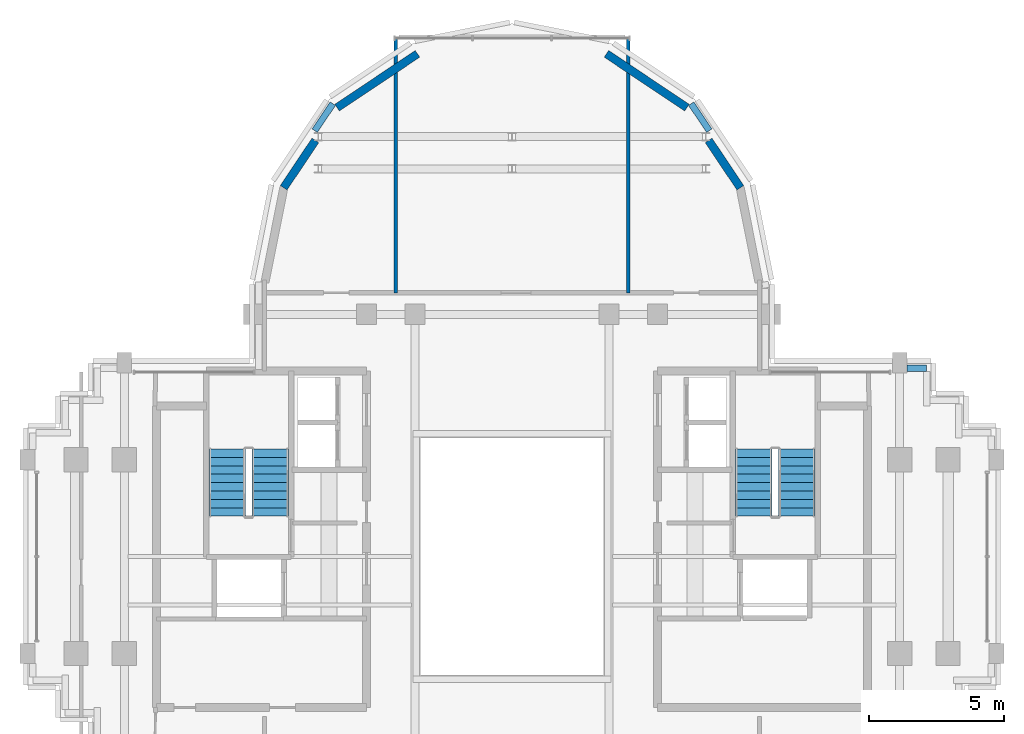
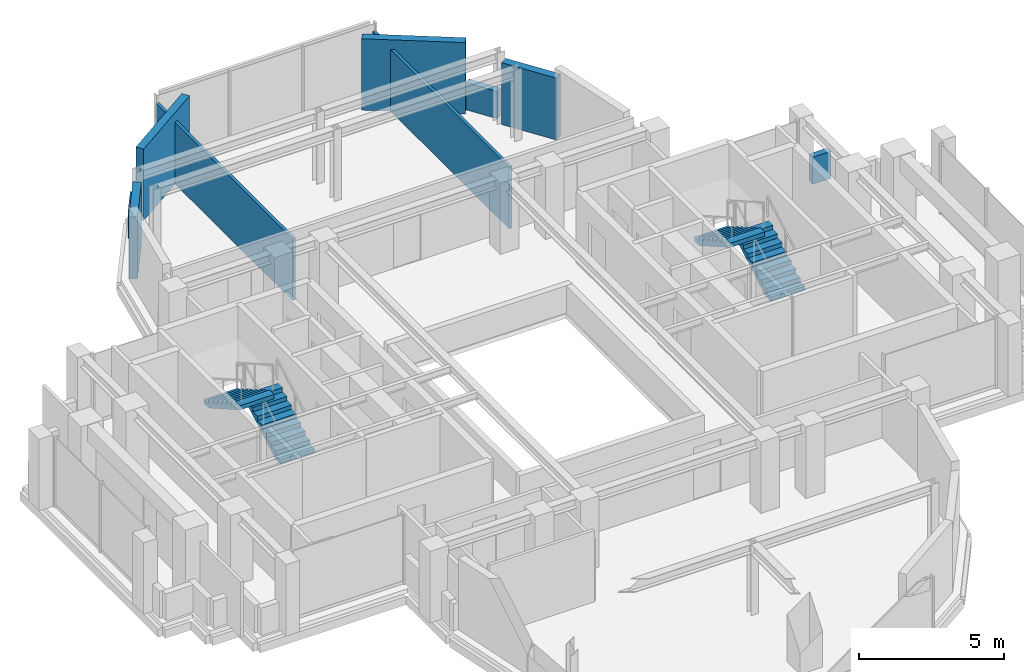
# One storey, part 10 of 12: 9 walls, 4 stair flights, 2 elements without a shape of their own.
"""IFC4 building model written with IfcOpenShell, lengths in metres."""

from ifc_helpers import new_model, si_unit, direction, frame, frame_2d, origin, place, context, subcontext, project, spatial, polyline, rectangle, outline, extrude, material, layer, layer_set, type_object, element, aggregate, save


model = new_model("IFC4")

# Units and contexts
model_context = context("Model", 3, precision=1e-05, world=origin(), true_north=direction((0.0, 1.0)))
body_context = subcontext(model_context, "Body", "Model", "MODEL_VIEW")
ifc_project = project(units=[si_unit("LENGTHUNIT", "METRE"), si_unit("AREAUNIT", "SQUARE_METRE"), si_unit("VOLUMEUNIT", "CUBIC_METRE"), si_unit("PLANEANGLEUNIT", "RADIAN"), si_unit("MASSUNIT", "GRAM", prefix="KILO")], contexts=[model_context])

# Site, building, storey
site_placement = place(None, origin())
site = spatial("IfcSite", under=ifc_project, at=site_placement, CompositionType="ELEMENT")
building_placement = place(site_placement, origin())
building = spatial("IfcBuilding", under=site, at=building_placement, Name="Keilestroom Media Tower", CompositionType="ELEMENT")
storey_placement = place(building_placement, frame((0.0, 0.0, 249.199951171875)))
storey = spatial("IfcBuildingStorey", under=building, at=storey_placement, Name="L69", CompositionType="ELEMENT", Elevation=249.199951171875)

# Walls
ifc_material_1 = material(Name="Precast concrete C40/50", Category="concrete")
ifc_layer_1 = layer(ifc_material_1, 0.300048828125)
ifc_layer_set_1 = layer_set([ifc_layer_1], Name="Precast concrete C40/50")
wall_type_1 = type_object("IfcWallType", Name="Exterior-Masonry-Spandrel-Wall-300", PredefinedType="SOLIDWALL", material=ifc_layer_set_1)
wall_1_placement = place(storey_placement, frame((8.48193359375, 13.697509765625, 0.0), z_axis=(0.0, 0.0, 1.0), x_axis=(-0.555604299396, 0.831446848868, 0.0)))
element("IfcWall", 1, at=wall_1_placement, inside=storey, type_object=wall_type_1, Name="L69 Lobe Facet Precast Frame Wall 02", PredefinedType="SOLIDWALL", context=body_context, shape_type="SweptSolid", body=[
    extrude(rectangle(XDim=2.117919921875, YDim=0.300048828125, at=frame_2d((1.05908203125, 0.0))), origin(), (0.0, 0.0, 1.0), 2.610107421875),
])
for number, where, z_axis, x_axis, name in (
    (2, (6.497802734375, 16.677001953125, 0.0), (0.0, 0.0, 1.0), (-0.831443568068, 0.555609208993, 0.0), "L69 Lobe Facet Precast Frame Wall 03"),
    (3, (-3.510009765625, 18.673583984375, 0.0), (0.0, 0.0, 1.0), (-0.831443568068, -0.555609208993, 0.0), "L69 Lobe Facet Precast Frame Wall 04"),
):
    element("IfcWall", number, at=place(storey_placement, frame(where, z_axis=z_axis, x_axis=x_axis)), inside=storey, type_object=wall_type_1, Name=name, PredefinedType="SOLIDWALL", context=body_context, shape_type="SweptSolid", body=[
        extrude(rectangle(XDim=3.593505859375, YDim=0.300048828125, at=frame_2d((1.796875, 0.0))), origin(), (0.0, 0.0, 1.0), 3.010009765625),
    ])
wall_2_placement = place(storey_placement, frame((-7.30517578125, 15.45849609375, 0.0), z_axis=(0.0, 0.0, 1.0), x_axis=(-0.555604299396, -0.831446848868, 0.0)))
element("IfcWall", 4, at=wall_2_placement, inside=storey, type_object=wall_type_1, Name="L69 Lobe Facet Precast Frame Wall 05", PredefinedType="SOLIDWALL", context=body_context, shape_type="SweptSolid", body=[
    extrude(rectangle(XDim=2.117919921875, YDim=0.300048828125, at=frame_2d((1.05908203125, 0.0))), origin(), (0.0, 0.0, 1.0), 2.610107421875),
])
ifc_material_2 = material(Name="Gypsum Plasterboard & Steel Stud", Category="steel")
ifc_layer_2 = layer(ifc_material_2, 0.1201171875)
ifc_layer_set_2 = layer_set([ifc_layer_2], Name="Gypsum Plasterboard & Steel Stud")
wall_type_2 = type_object("IfcWallType", Name="Interior-Partition-Wall-120", PredefinedType="PARTITIONING", material=ifc_layer_set_2)
for number, where, z_axis, x_axis, name in (
    (5, (-4.320068359375, 9.800048828125, 0.0), (0.0, 0.0, 1.0), (0.0, 1.0, 0.0), "L69 Interior Wall WP-L69-NL-VW"),
    (6, (4.320068359375, 9.800048828125, 0.0), (0.0, 0.0, 1.0), (0.0, 1.0, 0.0), "L69 Interior Wall WP-L69-NL-VE"),
):
    element("IfcWall", number, at=place(storey_placement, frame(where, z_axis=z_axis, x_axis=x_axis)), inside=storey, type_object=wall_type_2, Name=name, PredefinedType="PARTITIONING", context=body_context, shape_type="SweptSolid", body=[
        extrude(rectangle(XDim=9.449951171875, YDim=0.1201171875, at=frame_2d((4.72509765625, 0.0))), origin(), (0.0, 0.0, 1.0), 2.610107421875),
    ])
ifc_layer_3 = layer(ifc_material_1, 0.239990234375)
ifc_layer_set_3 = layer_set([ifc_layer_3], Name="Precast concrete C40/50")
wall_type_3 = type_object("IfcWallType", Name="Roof-And-Terrace-Parapet-Wall-240", PredefinedType="PARAPET", material=ifc_layer_set_3)
for number, where, z_axis, x_axis, name in (
    (7, (-7.328125, 15.8203125, 0.0), (0.0, 0.0, 1.0), (0.555585388542, 0.831459485506, 0.0), "L69 Perimeter Edge Parapet Wall 28"),
    (8, (6.656494140625, 16.825439453125, 0.0), (0.0, 0.0, 1.0), (0.555585388542, -0.831459485506, 0.0), "L69 Perimeter Edge Parapet Wall 29"),
):
    element("IfcWall", number, at=place(storey_placement, frame(where, z_axis=z_axis, x_axis=x_axis)), inside=storey, type_object=wall_type_3, Name=name, PredefinedType="PARAPET", context=body_context, shape_type="SweptSolid", body=[
        extrude(rectangle(XDim=1.208984375, YDim=0.239990234375, at=frame_2d((0.6044921875, 0.0))), origin(), (0.0, 0.0, 1.0), 1.150146484375),
    ])
wall_3_placement = place(storey_placement, frame((14.677978515625, 7.0, 0.0), z_axis=(0.0, 0.0, 1.0), x_axis=(1.0, 0.0, 0.0)))
element("IfcWall", 9, at=wall_3_placement, inside=storey, type_object=wall_type_3, Name="L69 Perimeter Edge Parapet Wall 33", PredefinedType="PARAPET", context=body_context, shape_type="SweptSolid", body=[
    extrude(rectangle(XDim=0.721923828125, YDim=0.239990234375, at=frame_2d((0.36083984375, 0.0))), origin(), (0.0, 0.0, 1.0), 1.150146484375),
])

# Stair, stair flights
ifc_material_3 = material(Name="Concrete C45/55", Category="concrete")
stair_type = type_object("IfcStairType", Name="Enclosed-Dog-Leg-Stair-ST-CORE", PredefinedType="HALF_TURN_STAIR", material=ifc_material_3)
stair_1_placement = place(storey_placement, origin())
stair_1 = element("IfcStair", 10, at=stair_1_placement, inside=storey, type_object=stair_type, Name="L69 West Core Escape Stair ST-1", PredefinedType="HALF_TURN_STAIR")
stair_flight_type = type_object("IfcStairFlightType", Name="Precast-Concrete-Stair-Flight-Core-160", PredefinedType="STRAIGHT", material=ifc_material_1)
stair_flight_1_placement = place(storey_placement, frame((-8.97998046875, 1.5, 0.0), z_axis=(0.0, 0.0, 1.0), x_axis=(0.0, 1.0, 0.0)))
stair_flight_1 = element("IfcStairFlight", 11, at=stair_flight_1_placement, type_object=stair_flight_type, Name="ST-1 flight 1", NumberOfRisers=9, NumberOfTreads=8, PredefinedType="STRAIGHT", RiserHeight=0.177777778, TreadLength=0.312, context=body_context, shape_type="SweptSolid", body=[
    extrude(outline(polyline([(0.0, 0.0), (0.0, 0.177734375), (0.31201171875, 0.177734375), (0.31201171875, 0.35546875), (0.6240234375, 0.35546875), (0.6240234375, 0.533447265625), (0.93603515625, 0.533447265625), (0.93603515625, 0.711181640625), (1.248046875, 0.711181640625), (1.248046875, 0.888916015625), (1.56005859375, 0.888916015625), (1.56005859375, 1.066650390625), (1.8720703125, 1.066650390625), (1.8720703125, 1.244384765625), (2.18408203125, 1.244384765625), (2.18408203125, 1.422119140625), (2.49609375, 1.422119140625), (2.49609375, 1.60009765625), (2.49609375, 1.23828125), (0.322998046875, 0.0), (0.0, 0.0)])), frame((0.0, 0.68017578125, 0.0), z_axis=(0.0, -1.0, 0.0), x_axis=(1.0, 0.0, 0.0)), (0.0, 0.0, 1.0), 1.360107421875),
])
stair_flight_2_placement = place(storey_placement, frame((-10.580078125, 3.99609375, 1.60009765625), z_axis=(0.0, 0.0, 1.0), x_axis=(0.0, -1.0, 0.0)))
stair_flight_2 = element("IfcStairFlight", 12, at=stair_flight_2_placement, type_object=stair_flight_type, Name="ST-1 flight 2", NumberOfRisers=9, NumberOfTreads=8, PredefinedType="STRAIGHT", RiserHeight=0.177777778, TreadLength=0.312, context=body_context, shape_type="SweptSolid", body=[
    extrude(outline(polyline([(0.0, 0.0), (0.0, 0.177734375), (0.31201171875, 0.177734375), (0.31201171875, 0.35546875), (0.6240234375, 0.35546875), (0.6240234375, 0.533447265625), (0.93603515625, 0.533447265625), (0.93603515625, 0.711181640625), (1.248046875, 0.711181640625), (1.248046875, 0.888916015625), (1.56005859375, 0.888916015625), (1.56005859375, 1.066650390625), (1.8720703125, 1.066650390625), (1.8720703125, 1.244384765625), (2.18408203125, 1.244384765625), (2.18408203125, 1.422119140625), (2.49609375, 1.422119140625), (2.49609375, 1.60009765625), (2.49609375, 1.23828125), (0.322998046875, 0.0), (0.0, 0.0)])), frame((0.0, 0.68017578125, 0.0), z_axis=(0.0, -1.0, 0.0), x_axis=(1.0, 0.0, 0.0)), (0.0, 0.0, 1.0), 1.360107421875),
])
aggregate(stair_1, [stair_flight_1, stair_flight_2])

stair_2_placement = place(storey_placement, origin())
stair_2 = element("IfcStair", 13, at=stair_2_placement, inside=storey, type_object=stair_type, Name="L69 East Core Escape Stair ST-2", PredefinedType="HALF_TURN_STAIR")
stair_flight_3_placement = place(storey_placement, frame((10.580078125, 1.5, 0.0), z_axis=(0.0, 0.0, 1.0), x_axis=(0.0, 1.0, 0.0)))
stair_flight_3 = element("IfcStairFlight", 14, at=stair_flight_3_placement, type_object=stair_flight_type, Name="ST-2 flight 1", NumberOfRisers=9, NumberOfTreads=8, PredefinedType="STRAIGHT", RiserHeight=0.177777778, TreadLength=0.312, context=body_context, shape_type="SweptSolid", body=[
    extrude(outline(polyline([(0.0, 0.0), (0.0, 0.177734375), (0.31201171875, 0.177734375), (0.31201171875, 0.35546875), (0.6240234375, 0.35546875), (0.6240234375, 0.533447265625), (0.93603515625, 0.533447265625), (0.93603515625, 0.711181640625), (1.248046875, 0.711181640625), (1.248046875, 0.888916015625), (1.56005859375, 0.888916015625), (1.56005859375, 1.066650390625), (1.8720703125, 1.066650390625), (1.8720703125, 1.244384765625), (2.18408203125, 1.244384765625), (2.18408203125, 1.422119140625), (2.49609375, 1.422119140625), (2.49609375, 1.60009765625), (2.49609375, 1.23828125), (0.322998046875, 0.0), (0.0, 0.0)])), frame((0.0, 0.68017578125, 0.0), z_axis=(0.0, -1.0, 0.0), x_axis=(1.0, 0.0, 0.0)), (0.0, 0.0, 1.0), 1.360107421875),
])
stair_flight_4_placement = place(storey_placement, frame((8.97998046875, 3.99609375, 1.60009765625), z_axis=(0.0, 0.0, 1.0), x_axis=(0.0, -1.0, 0.0)))
stair_flight_4 = element("IfcStairFlight", 15, at=stair_flight_4_placement, type_object=stair_flight_type, Name="ST-2 flight 2", NumberOfRisers=9, NumberOfTreads=8, PredefinedType="STRAIGHT", RiserHeight=0.177777778, TreadLength=0.312, context=body_context, shape_type="SweptSolid", body=[
    extrude(outline(polyline([(0.0, 0.0), (0.0, 0.177734375), (0.31201171875, 0.177734375), (0.31201171875, 0.35546875), (0.6240234375, 0.35546875), (0.6240234375, 0.533447265625), (0.93603515625, 0.533447265625), (0.93603515625, 0.711181640625), (1.248046875, 0.711181640625), (1.248046875, 0.888916015625), (1.56005859375, 0.888916015625), (1.56005859375, 1.066650390625), (1.8720703125, 1.066650390625), (1.8720703125, 1.244384765625), (2.18408203125, 1.244384765625), (2.18408203125, 1.422119140625), (2.49609375, 1.422119140625), (2.49609375, 1.60009765625), (2.49609375, 1.23828125), (0.322998046875, 0.0), (0.0, 0.0)])), frame((0.0, 0.68017578125, 0.0), z_axis=(0.0, -1.0, 0.0), x_axis=(1.0, 0.0, 0.0)), (0.0, 0.0, 1.0), 1.360107421875),
])
aggregate(stair_2, [stair_flight_3, stair_flight_4])

save(model, "model.ifc")
